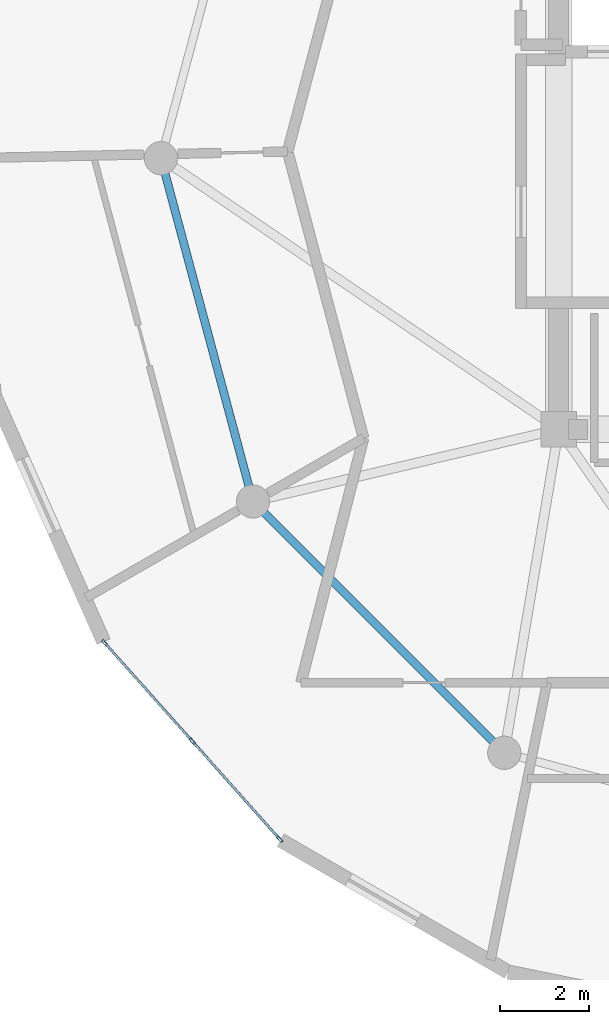
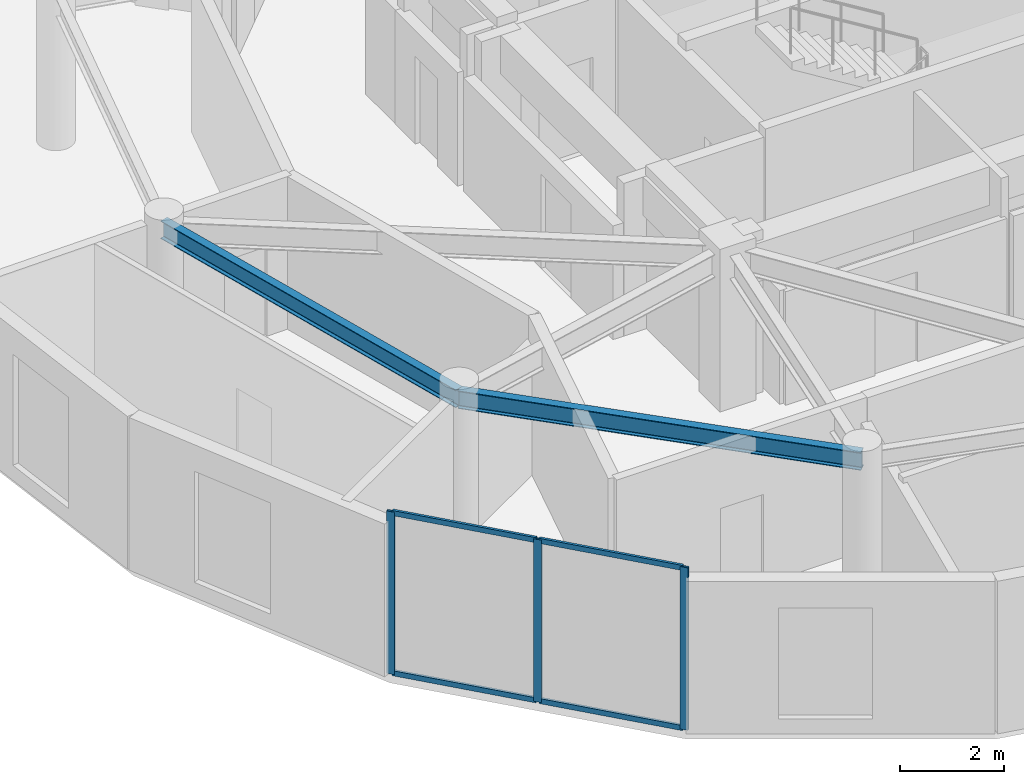
# One storey, part 2 of 23: 7 members, 2 beams, 1 element without a shape of its own.
"""IFC4 building model written with IfcOpenShell, lengths in metres."""

from ifc_helpers import new_model, si_unit, direction, frame, origin, origin_2d, place, context, subcontext, project, spatial, hollow_rectangle, i_section, extrude, source, transform, mapped, material, layer, layer_set, material_profile, profile_set, type_object, element, aggregate, save


model = new_model("IFC4")

# Units and contexts
model_context = context("Model", 3, precision=1e-05, world=origin(), true_north=direction((0.0, 1.0)))
body_context = subcontext(model_context, "Body", "Model", "MODEL_VIEW")
ifc_project = project(units=[si_unit("LENGTHUNIT", "METRE"), si_unit("AREAUNIT", "SQUARE_METRE"), si_unit("VOLUMEUNIT", "CUBIC_METRE"), si_unit("PLANEANGLEUNIT", "RADIAN"), si_unit("MASSUNIT", "GRAM", prefix="KILO")], contexts=[model_context])

# Site, building, storey
site_placement = place(None, origin())
site = spatial("IfcSite", under=ifc_project, at=site_placement, CompositionType="ELEMENT")
building_placement = place(site_placement, origin())
building = spatial("IfcBuilding", under=site, at=building_placement, Name="Solvirekh Grand Hotel", CompositionType="ELEMENT")
storey_placement = place(building_placement, frame((0.0, 0.0, 285.800048828125)))
storey = spatial("IfcBuildingStorey", under=building, at=storey_placement, Name="L74", CompositionType="ELEMENT", Elevation=285.800048828125)

# Beams
ifc_material_1 = material(Name="Steel S355", Category="steel")
ifc_material_profile_1 = material_profile(ifc_material_1, i_section(OverallWidth=0.180908203125, OverallDepth=0.4169921875, WebThickness=0.010009765625, FlangeThickness=0.01611328125, FilletRadius=0.011962890625, at=origin_2d()), Name="W410X85")
ifc_profile_set_1 = profile_set([ifc_material_profile_1], Name="Steel S355")
beam_type = type_object("IfcBeamType", Name="Spandrel_Ring_W410", PredefinedType="SPANDREL", material=ifc_profile_set_1)
beam_1_placement = place(storey_placement, frame((-15.449951171875, 0.0, 3.36083984375), z_axis=(0.258834757072, -0.965921616143, 0.0), x_axis=(0.965921616143, 0.258834757072, 0.0)))
element("IfcBeam", 1, at=beam_1_placement, inside=storey, type_object=beam_type, Name="L74 perimeter spandrel beam 7", PredefinedType="SPANDREL", context=body_context, shape_type="SweptSolid", body=[
    extrude(i_section(OverallWidth=0.180908203125, OverallDepth=0.4169921875, WebThickness=0.010009765625, FlangeThickness=0.01611328125, FilletRadius=0.011962890625, at=origin_2d()), origin(), (0.0, 0.0, 1.0), 7.99755859375),
])
beam_2_placement = place(storey_placement, frame((-13.3798828125, -7.72509765625, 3.36083984375), z_axis=(0.707106781187, -0.707106781187, 0.0), x_axis=(0.707106781187, 0.707106781187, 0.0)))
element("IfcBeam", 2, at=beam_2_placement, inside=storey, type_object=beam_type, Name="L74 perimeter spandrel beam 8", PredefinedType="SPANDREL", context=body_context, shape_type="SweptSolid", body=[
    extrude(i_section(OverallWidth=0.180908203125, OverallDepth=0.4169921875, WebThickness=0.010009765625, FlangeThickness=0.01611328125, FilletRadius=0.011962890625, at=origin_2d()), origin(), (0.0, 0.0, 1.0), 7.9970703125),
])

# Curtain wall, members
ifc_material_2 = material(Name="Anodized Bronze Aluminium 6063-T6", Category="aluminium")
ifc_layer = layer(ifc_material_2, 0.159912109375)
ifc_layer_set = layer_set([ifc_layer], Name="Anodized Bronze Aluminium 6063-T6")
curtain_wall_type = type_object("IfcCurtainWallType", Name="CW_Sys4_HighZoneFlushBronzeCW", PredefinedType="NOTDEFINED", material=ifc_layer_set)
curtain_wall_placement = place(storey_placement, origin())
curtain_wall = element("IfcCurtainWall", 3, at=curtain_wall_placement, inside=storey, type_object=curtain_wall_type, Name="L74 unitised bronze-glass curtain wall CW-L74-C18", PredefinedType="NOTDEFINED")
ifc_material_profile_2 = material_profile(ifc_material_2, hollow_rectangle(XDim=0.06005859375, YDim=0.159912109375, WallThickness=0.0048828125, at=origin_2d()), Name="ALU RHS 160X60X5")
ifc_profile_set_2 = profile_set([ifc_material_profile_2], Name="Anodized Bronze Aluminium 6063-T6")
member_type_1 = type_object("IfcMemberType", Name="CWMullion_Sys4", PredefinedType="MULLION", material=ifc_profile_set_2)
shared_shape_1 = source(origin(), body_context, "Body", "SweptSolid", [
    extrude(hollow_rectangle(XDim=0.06005859375, YDim=0.159912109375, WallThickness=0.0048828125, at=origin_2d()), origin(), (0.0, 0.0, 1.0), 3.800048828125),
])
member_1_placement = place(storey_placement, frame((-16.719970703125, -10.904296875, 0.0), z_axis=(0.0, 0.0, 1.0), x_axis=(0.746468159364, 0.665421135114, 0.0)))
member_1 = element("IfcMember", 4, at=member_1_placement, type_object=member_type_1, Name="U04 mullion 1", PredefinedType="MULLION", context=body_context, shape_type="MappedRepresentation", body=[
    mapped(shared_shape_1, transform((0.0, 0.0, 0.0), x_axis=(1.0, 0.0, 0.0), y_axis=(0.0, 1.0, 0.0), z_axis=(0.0, 0.0, 1.0), scale=1.0)),
])
member_2_placement = place(storey_placement, frame((-14.7490234375, -13.115478515625, 0.0), z_axis=(0.0, 0.0, 1.0), x_axis=(0.746468159364, 0.665421135114, 0.0)))
member_2 = element("IfcMember", 5, at=member_2_placement, type_object=member_type_1, Name="U04 mullion 2", PredefinedType="MULLION", context=body_context, shape_type="MappedRepresentation", body=[
    mapped(shared_shape_1, transform((0.0, 0.0, 0.0), x_axis=(1.0, 0.0, 0.0), y_axis=(0.0, 1.0, 0.0), z_axis=(0.0, 0.0, 1.0), scale=1.0)),
])
member_3_placement = place(storey_placement, frame((-12.778076171875, -15.32666015625, 0.0), z_axis=(0.0, 0.0, 1.0), x_axis=(0.746468159364, 0.665421135114, 0.0)))
member_3 = element("IfcMember", 6, at=member_3_placement, type_object=member_type_1, Name="U04 mullion 3", PredefinedType="MULLION", context=body_context, shape_type="MappedRepresentation", body=[
    mapped(shared_shape_1, transform((0.0, 0.0, 0.0), x_axis=(1.0, 0.0, 0.0), y_axis=(0.0, 1.0, 0.0), z_axis=(0.0, 0.0, 1.0), scale=1.0)),
])
ifc_material_profile_3 = material_profile(ifc_material_2, hollow_rectangle(XDim=0.054931640625, YDim=0.1201171875, WallThickness=0.00390625, at=origin_2d()), Name="ALU RHS 120X55X4")
ifc_profile_set_3 = profile_set([ifc_material_profile_3], Name="Anodized Bronze Aluminium 6063-T6")
member_type_2 = type_object("IfcMemberType", Name="CWTransom_Sys4", PredefinedType="USERDEFINED", material=ifc_profile_set_3)
shared_shape_2 = source(origin(), body_context, "Body", "SweptSolid", [
    extrude(hollow_rectangle(XDim=0.054931640625, YDim=0.1201171875, WallThickness=0.00390625, at=origin_2d()), origin(), (0.0, 0.0, 1.0), 2.902099609375),
])
member_4_placement = place(storey_placement, frame((-16.7001953125, -10.9267578125, 0.02734375), z_axis=(0.665438806714, -0.746452406065, 0.0), x_axis=(0.746452406065, 0.665438806714, 0.0)))
member_4 = element("IfcMember", 7, at=member_4_placement, type_object=member_type_2, Name="U04 transom 1.1", ObjectType="TRANSOM", PredefinedType="USERDEFINED", context=body_context, shape_type="MappedRepresentation", body=[
    mapped(shared_shape_2, transform((0.0, 0.0, 0.0), x_axis=(1.0, 0.0, 0.0), y_axis=(0.0, 1.0, 0.0), z_axis=(0.0, 0.0, 1.0), scale=1.0)),
])
member_5_placement = place(storey_placement, frame((-16.7001953125, -10.9267578125, 3.7724609375), z_axis=(0.665438806714, -0.746452406065, 0.0), x_axis=(0.746452406065, 0.665438806714, 0.0)))
member_5 = element("IfcMember", 8, at=member_5_placement, type_object=member_type_2, Name="U04 transom 1.2", ObjectType="TRANSOM", PredefinedType="USERDEFINED", context=body_context, shape_type="MappedRepresentation", body=[
    mapped(shared_shape_2, transform((0.0, 0.0, 0.0), x_axis=(1.0, 0.0, 0.0), y_axis=(0.0, 1.0, 0.0), z_axis=(0.0, 0.0, 1.0), scale=1.0)),
])
member_6_placement = place(storey_placement, frame((-14.72900390625, -13.137939453125, 0.02734375), z_axis=(0.665438806714, -0.746452406065, 0.0), x_axis=(0.746452406065, 0.665438806714, 0.0)))
member_6 = element("IfcMember", 9, at=member_6_placement, type_object=member_type_2, Name="U04 transom 2.1", ObjectType="TRANSOM", PredefinedType="USERDEFINED", context=body_context, shape_type="MappedRepresentation", body=[
    mapped(shared_shape_2, transform((0.0, 0.0, 0.0), x_axis=(1.0, 0.0, 0.0), y_axis=(0.0, 1.0, 0.0), z_axis=(0.0, 0.0, 1.0), scale=1.0)),
])
member_7_placement = place(storey_placement, frame((-14.72900390625, -13.137939453125, 3.7724609375), z_axis=(0.665438806714, -0.746452406065, 0.0), x_axis=(0.746452406065, 0.665438806714, 0.0)))
member_7 = element("IfcMember", 10, at=member_7_placement, type_object=member_type_2, Name="U04 transom 2.2", ObjectType="TRANSOM", PredefinedType="USERDEFINED", context=body_context, shape_type="MappedRepresentation", body=[
    mapped(shared_shape_2, transform((0.0, 0.0, 0.0), x_axis=(1.0, 0.0, 0.0), y_axis=(0.0, 1.0, 0.0), z_axis=(0.0, 0.0, 1.0), scale=1.0)),
])
aggregate(curtain_wall, [member_1, member_2, member_3, member_4, member_5, member_6, member_7])

save(model, "model.ifc")
